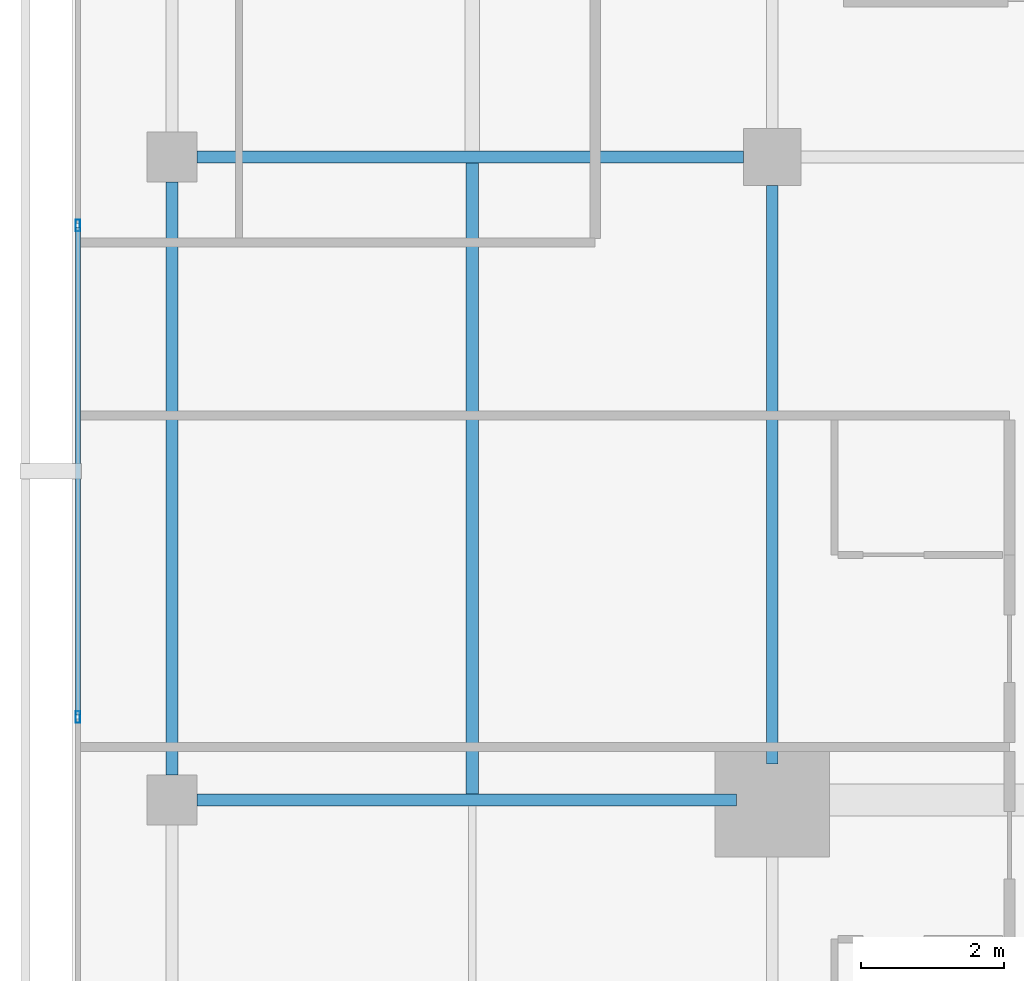
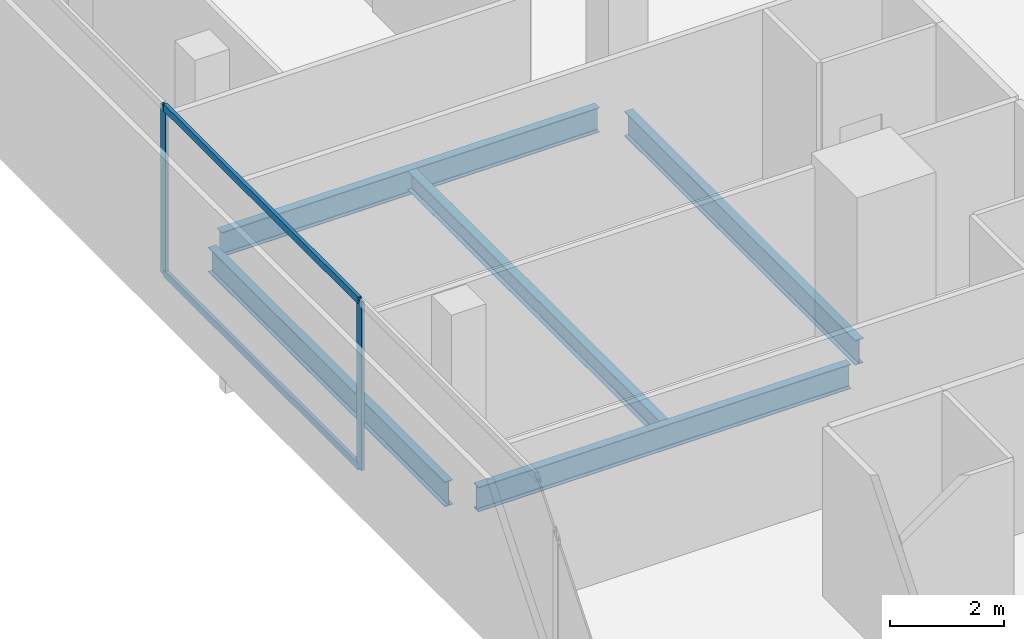
# One storey, part 8 of 25: 5 beams, 4 members, 1 element without a shape of its own.
"""IFC4 building model written with IfcOpenShell, lengths in metres."""

import ifcopenshell
import ifcopenshell.guid

model = None  # the IFC model being written
_history = None  # IfcOwnerHistory: only IFC2X3 demands one
_inside = {}  # id of a spatial element -> (the spatial element, [elements in it])
_under = {}  # id of a project, library or spatial element -> (it, [spatial elements below it])
_declared = {}  # id of a project -> (the project, [libraries it declares])
_typed = {}  # id of a type object -> (the type object, [elements of that type])
_made_of = {}  # id of a material, layer set ... -> (it, [elements and type objects made of it])


def new_model(schema):
    """Start an empty IFC model of exactly this schema.

    Asked for "IFC4X3", IfcOpenShell would pick the latest addendum, in which some entities
    have other attributes; the version numbers below select the first issue.
    IFC2X3 requires an IfcOwnerHistory on every rooted entity: one is made here for all.
    """
    global model, _history
    if schema == "IFC4X3":
        model = ifcopenshell.file(schema_version=(4, 3, 0, 0))
    else:
        model = ifcopenshell.file(schema=schema)
    _inside.clear()
    _under.clear()
    _declared.clear()
    _typed.clear()
    _made_of.clear()
    _history = None
    if model.schema == "IFC2X3":
        org = make("IfcOrganization", Name="unknown")
        user = make(
            "IfcPersonAndOrganization",
            ThePerson=make("IfcPerson", FamilyName="unknown"),
            TheOrganization=org,
        )
        app = make(
            "IfcApplication",
            ApplicationDeveloper=org,
            Version="unknown",
            ApplicationFullName="unknown",
            ApplicationIdentifier="unknown",
        )
        _history = make(
            "IfcOwnerHistory",
            OwningUser=user,
            OwningApplication=app,
            ChangeAction="ADDED",
            CreationDate=0,
        )
    return model


def make(cls, **values):
    """One entity of the class cls with the attributes given. An attribute that is None is left unset."""
    return model.create_entity(
        cls, **{name: value for name, value in values.items() if value is not None}
    )


def rooted(cls, **values):
    """An entity with a GlobalId (a new one), such as an element, a storey or a relation."""
    return make(cls, GlobalId=ifcopenshell.guid.new(), OwnerHistory=_history, **values)


def si_unit(unit_type, name, prefix=None):
    """IfcSIUnit, for example si_unit("LENGTHUNIT", "METRE", prefix="MILLI")."""
    return make("IfcSIUnit", UnitType=unit_type, Prefix=prefix, Name=name)


def assignment(units):
    """IfcUnitAssignment: the units of a project."""
    return None if units is None else make("IfcUnitAssignment", Units=units)


def point(xyz):
    """IfcCartesianPoint."""
    return None if xyz is None else make("IfcCartesianPoint", Coordinates=xyz)


def direction(xyz):
    """IfcDirection."""
    return None if xyz is None else make("IfcDirection", DirectionRatios=xyz)


def frame(location, z_axis=None, x_axis=None):
    """IfcAxis2Placement3D, a coordinate frame: its origin and axes. An axis left out is left unset."""
    return make(
        "IfcAxis2Placement3D",
        Location=point(location),
        Axis=direction(z_axis),
        RefDirection=direction(x_axis),
    )


def frame_2d(location, x_axis=None):
    """IfcAxis2Placement2D, a coordinate frame in the plane: its origin and x axis."""
    return make(
        "IfcAxis2Placement2D", Location=point(location), RefDirection=direction(x_axis)
    )


def origin():
    """The frame at (0, 0, 0) with its axes left unset."""
    return frame((0.0, 0.0, 0.0))


def origin_2d():
    """The frame at (0, 0) in the plane with its x axis left unset."""
    return frame_2d((0.0, 0.0))


def place(relative_to, where):
    """IfcLocalPlacement: puts the frame where relative to a parent placement (None: the world)."""
    return make(
        "IfcLocalPlacement", PlacementRelTo=relative_to, RelativePlacement=where
    )


def context(
    kind, dimensions, precision=None, world=None, true_north=None, identifier=None
):
    """IfcGeometricRepresentationContext, for example the 3D "Model" context."""
    return make(
        "IfcGeometricRepresentationContext",
        ContextIdentifier=identifier,
        ContextType=kind,
        CoordinateSpaceDimension=dimensions,
        Precision=precision,
        WorldCoordinateSystem=world,
        TrueNorth=true_north,
    )


def subcontext(parent, identifier, kind, view, scale=None):
    """IfcGeometricRepresentationSubContext, for example "Body" below "Model"."""
    return make(
        "IfcGeometricRepresentationSubContext",
        ContextIdentifier=identifier,
        ContextType=kind,
        ParentContext=parent,
        TargetScale=scale,
        TargetView=view,
    )


def project(units=None, contexts=None):
    """IfcProject with its units and contexts."""
    return rooted(
        "IfcProject",
        Name="project",
        RepresentationContexts=contexts,
        UnitsInContext=assignment(units),
    )


def spatial(cls, under=None, at=None, **own):
    """A site, building, storey or space (cls), placed at a placement, below another one or the project."""
    s = rooted(cls, ObjectPlacement=at, **own)
    if under is not None:
        _under.setdefault(under.id(), (under, []))[1].append(s)
    return s


def profile(cls, at=None, kind="AREA", **sizes):
    """A parametric profile (cls). Its sizes go by their IFC names, for example OverallWidth=200.0."""
    return make(cls, ProfileType=kind, Position=at, **sizes)


def hollow_rectangle(**sizes):
    """IfcRectangleHollowProfileDef."""
    return profile("IfcRectangleHollowProfileDef", **sizes)


def i_section(**sizes):
    """IfcIShapeProfileDef."""
    return profile("IfcIShapeProfileDef", **sizes)


def extrude(swept, where, along, depth):
    """IfcExtrudedAreaSolid: the profile swept, set in the frame where, extruded along a direction by depth."""
    return make(
        "IfcExtrudedAreaSolid",
        SweptArea=swept,
        Position=where,
        ExtrudedDirection=direction(along),
        Depth=depth,
    )


def shape(context_of_items, identifier, shape_type, items):
    """IfcShapeRepresentation: the items that make up one representation, for example the "Body"."""
    return make(
        "IfcShapeRepresentation",
        ContextOfItems=context_of_items,
        RepresentationIdentifier=identifier,
        RepresentationType=shape_type,
        Items=items,
    )


def material(Name=None, Category=None):
    """IfcMaterial."""
    return make("IfcMaterial", Name=Name, Category=Category)


def layer(
    of_material, thickness, ventilated=None, Name=None, Category=None, Priority=None
):
    """IfcMaterialLayer: one layer of a wall or slab, of a material (None: an air gap)."""
    return make(
        "IfcMaterialLayer",
        Material=of_material,
        LayerThickness=thickness,
        IsVentilated=ventilated,
        Name=Name,
        Category=Category,
        Priority=Priority,
    )


def layer_set(layers, Name=None):
    """IfcMaterialLayerSet."""
    return make("IfcMaterialLayerSet", MaterialLayers=layers, LayerSetName=Name)


def material_profile(
    of_material, cross_section, Name=None, Category=None, Priority=None
):
    """IfcMaterialProfile: a cross section and its material."""
    return make(
        "IfcMaterialProfile",
        Name=Name,
        Material=of_material,
        Profile=cross_section,
        Priority=Priority,
        Category=Category,
    )


def profile_set(profiles, Name=None, composite=None):
    """IfcMaterialProfileSet."""
    return make(
        "IfcMaterialProfileSet",
        Name=Name,
        MaterialProfiles=profiles,
        CompositeProfile=composite,
    )


def made_of(thing, what):
    """Note that an element or type object is made of a material, layer set ...; save() writes the relation."""
    if what is not None:
        _made_of.setdefault(what.id(), (what, []))[1].append(thing)
    return thing


def type_object(cls, material=None, **own):
    """A type object (cls), such as IfcWallType, which elements share."""
    return made_of(rooted(cls, **own), material)


def element(
    cls,
    number,
    at=None,
    inside=None,
    cuts=None,
    type_object=None,
    material=None,
    context=None,
    identifier="Body",
    shape_type=None,
    held_by="IfcProductDefinitionShape",
    body=None,
    shapes=None,
    **own,
):
    """One element of the class cls, such as IfcWall. Its Tag is "e" and its number.

    at: its placement. inside: the storey or other place that contains it. cuts: it is an
    opening in that element (IfcRelVoidsElement). A single representation is given by context,
    identifier, shape_type and body (its items); several are given by shapes. held_by: the class
    of the entity that holds the representations. save() writes the other relations.
    """
    e = rooted(cls, Tag="e%d" % number, ObjectPlacement=at, **own)
    if body is not None:
        shapes = [shape(context, identifier, shape_type, body)]
    if shapes is not None:
        e.Representation = make(held_by, Representations=shapes)
    if inside is not None:
        _inside.setdefault(inside.id(), (inside, []))[1].append(e)
    if cuts is not None:
        rooted(
            "IfcRelVoidsElement", RelatingBuildingElement=cuts, RelatedOpeningElement=e
        )
    if type_object is not None:
        _typed.setdefault(type_object.id(), (type_object, []))[1].append(e)
    return made_of(e, material)


def aggregate(whole, parts):
    """IfcRelAggregates: a whole, such as a stair, and the parts it consists of."""
    return rooted("IfcRelAggregates", RelatingObject=whole, RelatedObjects=parts)


def save(model, path):
    """Write the relations noted so far, then the file.

    IfcRelAggregates (storeys below a building ...), IfcRelContainedInSpatialStructure (elements
    in a storey), IfcRelDefinesByType, IfcRelAssociatesMaterial and IfcRelDeclares: one each for
    every whole, place, type object, material and project.
    """
    for whole, parts in _under.values():
        aggregate(whole, parts)
    for where, things in _inside.values():
        rooted(
            "IfcRelContainedInSpatialStructure",
            RelatedElements=things,
            RelatingStructure=where,
        )
    for kind, things in _typed.values():
        rooted("IfcRelDefinesByType", RelatedObjects=things, RelatingType=kind)
    for what, things in _made_of.values():
        rooted("IfcRelAssociatesMaterial", RelatedObjects=things, RelatingMaterial=what)
    for by, libraries in _declared.values():
        rooted("IfcRelDeclares", RelatingContext=by, RelatedDefinitions=libraries)
    model.write(path)


model = new_model("IFC4")

# Units and contexts
model_context = context("Model", 3, precision=1e-05, world=origin(), true_north=direction((0.0, 1.0)))
body_context = subcontext(model_context, "Body", "Model", "MODEL_VIEW")
ifc_project = project(units=[si_unit("LENGTHUNIT", "METRE"), si_unit("AREAUNIT", "SQUARE_METRE"), si_unit("VOLUMEUNIT", "CUBIC_METRE"), si_unit("PLANEANGLEUNIT", "RADIAN"), si_unit("MASSUNIT", "GRAM", prefix="KILO")], contexts=[model_context])

# Site, building, storey
site_placement = place(None, origin())
site = spatial("IfcSite", under=ifc_project, at=site_placement, CompositionType="ELEMENT")
building_placement = place(site_placement, origin())
building = spatial("IfcBuilding", under=site, at=building_placement, Name="Maruvema Waterfront Hotel and Observation Tower", CompositionType="ELEMENT")
storey_placement = place(building_placement, frame((0.0, 0.0, 277.89990234375)))
storey = spatial("IfcBuildingStorey", under=building, at=storey_placement, Name="L68", CompositionType="ELEMENT", Elevation=277.89990234375)

# Curtain wall, members
ifc_material_1 = material(Name="Anodised bronze aluminium and solar-control low-E IGU", Category="aluminium")
ifc_layer = layer(ifc_material_1, 0.159912109375, Name="Zone 3 Champagne Inner Thermal Curtain Wall System CW-04")
ifc_layer_set = layer_set([ifc_layer], Name="Anodised bronze aluminium and solar-control low-E IGU")
curtain_wall_type = type_object("IfcCurtainWallType", Name="Zone 3 Champagne Inner Thermal Curtain Wall System CW-04", PredefinedType="USERDEFINED", material=ifc_layer_set)
curtain_wall_placement = place(storey_placement, origin())
curtain_wall = element("IfcCurtainWall", 1, at=curtain_wall_placement, inside=storey, type_object=curtain_wall_type, Name="L68 Curtain Wall CW-L68-W", ObjectType="UNITISED CURTAIN WALL", PredefinedType="USERDEFINED")
ifc_material_2 = material(Name="Anodised architectural bronze aluminium", Category="aluminium")
ifc_material_profile_1 = material_profile(ifc_material_2, hollow_rectangle(XDim=0.070068359375, YDim=0.14990234375, WallThickness=0.00390625, at=origin_2d()), Name="ALU-T70x150")
ifc_profile_set_1 = profile_set([ifc_material_profile_1], Name="Anodised architectural bronze aluminium")
member_type_1 = type_object("IfcMemberType", Name="Curtain Wall Horizontal Transom ALU-T70x150", PredefinedType="USERDEFINED", material=ifc_profile_set_1)
member_1_placement = place(storey_placement, frame((15.47998046875, 35.010009765625, 0.030029296875), z_axis=(0.0, -1.0, 0.0), x_axis=(1.0, 0.0, 0.0)))
member_1 = element("IfcMember", 2, at=member_1_placement, type_object=member_type_1, Name="CW-04 transom 3.1", ObjectType="TRANSOM", PredefinedType="USERDEFINED", context=body_context, shape_type="SweptSolid", body=[
    extrude(hollow_rectangle(XDim=0.070068359375, YDim=0.14990234375, WallThickness=0.00390625, at=origin_2d()), origin(), (0.0, 0.0, 1.0), 6.820068359375),
])
member_2_placement = place(storey_placement, frame((15.47998046875, 35.010009765625, 3.580078125), z_axis=(0.0, -1.0, 0.0), x_axis=(1.0, 0.0, 0.0)))
member_2 = element("IfcMember", 3, at=member_2_placement, type_object=member_type_1, Name="CW-04 transom 3.2", ObjectType="TRANSOM", PredefinedType="USERDEFINED", context=body_context, shape_type="SweptSolid", body=[
    extrude(hollow_rectangle(XDim=0.070068359375, YDim=0.14990234375, WallThickness=0.00390625, at=origin_2d()), origin(), (0.0, 0.0, 1.0), 6.820068359375),
])
ifc_material_3 = material(Name="Anodised architectural bronze aluminium", Category="aluminium")
ifc_material_profile_2 = material_profile(ifc_material_3, hollow_rectangle(XDim=0.06494140625, YDim=0.1650390625, WallThickness=0.00390625, at=origin_2d()), Name="ALU-M65x165")
ifc_profile_set_2 = profile_set([ifc_material_profile_2], Name="Anodised architectural bronze aluminium")
member_type_2 = type_object("IfcMemberType", Name="Curtain Wall Primary Mullion ALU-M65x165", PredefinedType="MULLION", material=ifc_profile_set_2)
member_3_placement = place(storey_placement, frame((15.47998046875, 35.0400390625, 0.0), z_axis=(0.0, 0.0, 1.0), x_axis=(1.0, 0.0, 0.0)))
member_3 = element("IfcMember", 4, at=member_3_placement, type_object=member_type_2, Name="CW-04 mullion 3", PredefinedType="MULLION", context=body_context, shape_type="SweptSolid", body=[
    extrude(hollow_rectangle(XDim=0.06494140625, YDim=0.1650390625, WallThickness=0.00390625, at=origin_2d()), origin(), (0.0, 0.0, 1.0), 3.610107421875),
])
member_4_placement = place(storey_placement, frame((15.47998046875, 28.159912109375, 0.0), z_axis=(0.0, 0.0, 1.0), x_axis=(1.0, 0.0, 0.0)))
member_4 = element("IfcMember", 5, at=member_4_placement, type_object=member_type_2, Name="CW-04 mullion 4", PredefinedType="MULLION", context=body_context, shape_type="SweptSolid", body=[
    extrude(hollow_rectangle(XDim=0.06494140625, YDim=0.1650390625, WallThickness=0.00390625, at=origin_2d()), origin(), (0.0, 0.0, 1.0), 3.610107421875),
])
aggregate(curtain_wall, [member_3, member_4, member_1, member_2])

# Beams
ifc_material_4 = material(Name="Steel ASTM A572 Grade 50", Category="steel")
ifc_material_profile_3 = material_profile(ifc_material_4, i_section(OverallWidth=0.166015625, OverallDepth=0.529052734375, WebThickness=0.009765625, FlangeThickness=0.013671875, FilletRadius=0.014892578125, at=origin_2d()), Name="W530x74.0")
ifc_profile_set_3 = profile_set([ifc_material_profile_3], Name="Steel ASTM A572 Grade 50")
beam_type_1 = type_object("IfcBeamType", Name="Primary Floor Girder W530x74.0", PredefinedType="BEAM", material=ifc_profile_set_3)
beam_1_placement = place(storey_placement, frame((17.14990234375, 27.0, -0.50439453125), z_axis=(1.0, 0.0, 0.0), x_axis=(0.0, 1.0, 0.0)))
element("IfcBeam", 6, at=beam_1_placement, inside=storey, type_object=beam_type_1, Name="L68 Floor Girder EW-09", PredefinedType="BEAM", context=body_context, shape_type="SweptSolid", body=[
    extrude(i_section(OverallWidth=0.166015625, OverallDepth=0.529052734375, WebThickness=0.009765625, FlangeThickness=0.013671875, FilletRadius=0.014892578125, at=origin_2d()), origin(), (0.0, 0.0, 1.0), 7.550048828125),
])
beam_2_placement = place(storey_placement, frame((17.14990234375, 36.0, -0.50439453125), z_axis=(1.0, 0.0, 0.0), x_axis=(0.0, 1.0, 0.0)))
element("IfcBeam", 7, at=beam_2_placement, inside=storey, type_object=beam_type_1, Name="L68 Floor Girder EW-12", PredefinedType="BEAM", context=body_context, shape_type="SweptSolid", body=[
    extrude(i_section(OverallWidth=0.166015625, OverallDepth=0.529052734375, WebThickness=0.009765625, FlangeThickness=0.013671875, FilletRadius=0.014892578125, at=origin_2d()), origin(), (0.0, 0.0, 1.0), 7.650146484375),
])
beam_3_placement = place(storey_placement, frame((16.800048828125, 27.35009765625, -0.50439453125), z_axis=(0.0, 1.0, 0.0), x_axis=(-1.0, 0.0, 0.0)))
element("IfcBeam", 8, at=beam_3_placement, inside=storey, type_object=beam_type_1, Name="L68 Floor Girder NS-02", PredefinedType="BEAM", context=body_context, shape_type="SweptSolid", body=[
    extrude(i_section(OverallWidth=0.166015625, OverallDepth=0.529052734375, WebThickness=0.009765625, FlangeThickness=0.013671875, FilletRadius=0.014892578125, at=origin_2d()), origin(), (0.0, 0.0, 1.0), 8.2998046875),
])
beam_4_placement = place(storey_placement, frame((25.199951171875, 27.5, -0.50439453125), z_axis=(0.0, 1.0, 0.0), x_axis=(-1.0, 0.0, 0.0)))
element("IfcBeam", 9, at=beam_4_placement, inside=storey, type_object=beam_type_1, Name="L68 Floor Girder NS-06", PredefinedType="BEAM", context=body_context, shape_type="SweptSolid", body=[
    extrude(i_section(OverallWidth=0.166015625, OverallDepth=0.529052734375, WebThickness=0.009765625, FlangeThickness=0.013671875, FilletRadius=0.014892578125, at=origin_2d()), origin(), (0.0, 0.0, 1.0), 8.10009765625),
])
ifc_material_5 = material(Name="Steel ASTM A572 Grade 50", Category="steel")
ifc_material_profile_4 = material_profile(ifc_material_5, i_section(OverallWidth=0.177001953125, OverallDepth=0.403076171875, WebThickness=0.007568359375, FlangeThickness=0.010986328125, FilletRadius=0.014892578125, at=origin_2d()), Name="W410x53.0")
ifc_profile_set_4 = profile_set([ifc_material_profile_4], Name="Steel ASTM A572 Grade 50")
beam_type_2 = type_object("IfcBeamType", Name="Secondary Floor Joist W410x53.0", PredefinedType="JOIST", material=ifc_profile_set_4)
beam_5_placement = place(storey_placement, frame((21.0, 27.0830078125, -0.44140625), z_axis=(0.0, 1.0, 0.0), x_axis=(-1.0, 0.0, 0.0)))
element("IfcBeam", 10, at=beam_5_placement, inside=storey, type_object=beam_type_2, Name="L68 Secondary Floor Joist JS-02", PredefinedType="JOIST", context=body_context, shape_type="SweptSolid", body=[
    extrude(i_section(OverallWidth=0.177001953125, OverallDepth=0.403076171875, WebThickness=0.007568359375, FlangeThickness=0.010986328125, FilletRadius=0.014892578125, at=origin_2d()), origin(), (0.0, 0.0, 1.0), 8.833984375),
])

save(model, "model.ifc")
